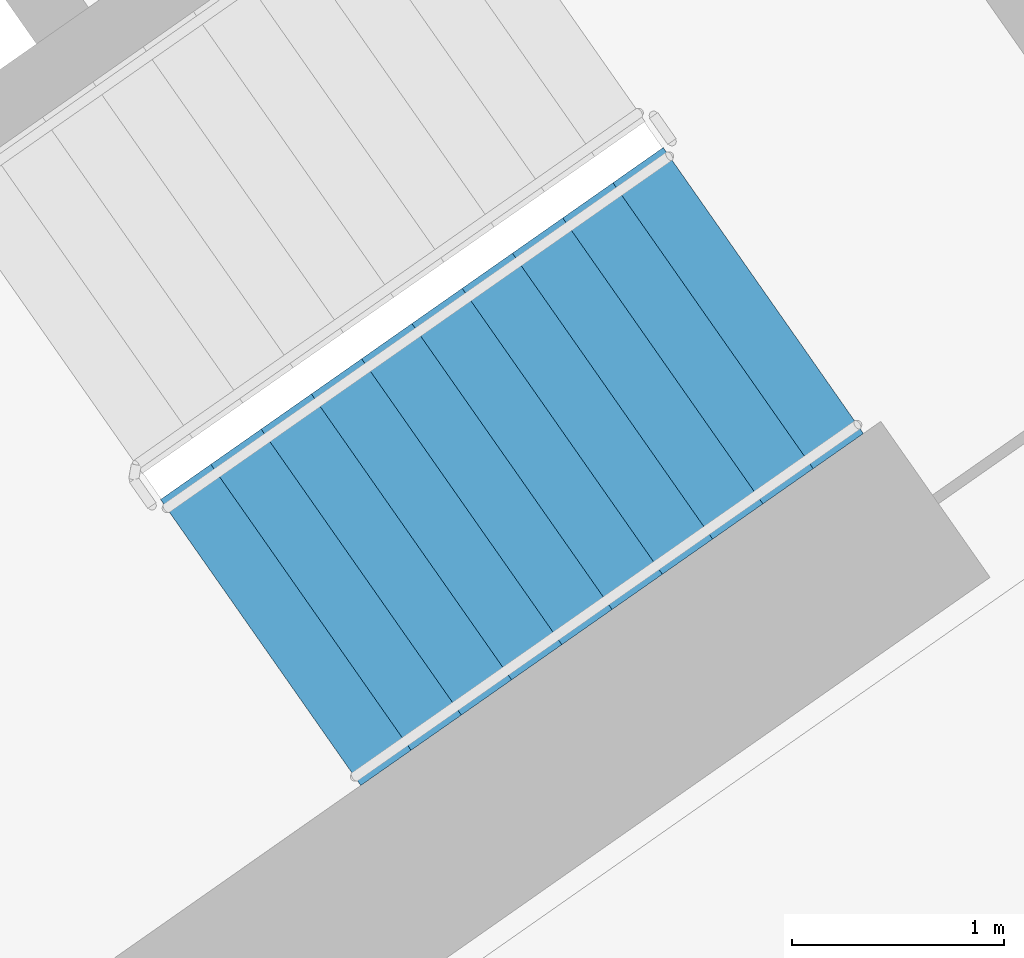
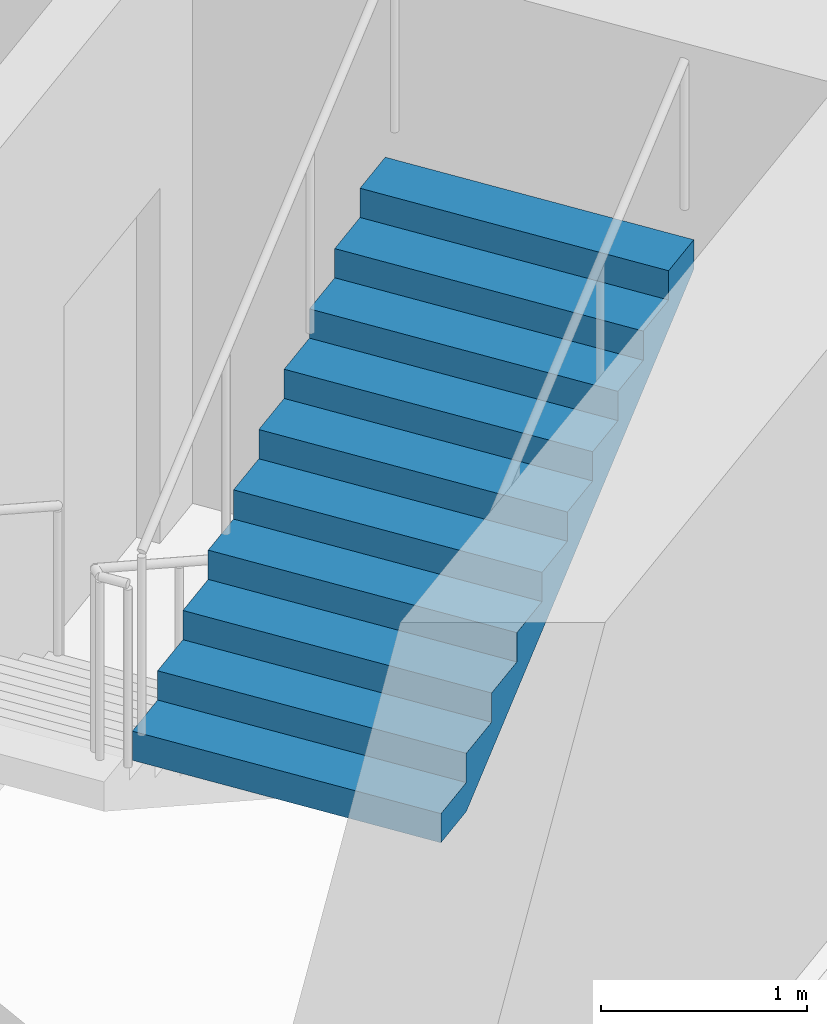
# One storey, part 18 of 32: 1 stair flight, 1 element without a shape of its own.
"""IFC4 building model written with IfcOpenShell, lengths in metres."""

from ifc_helpers import new_model, si_unit, direction, frame, origin, place, context, subcontext, project, spatial, faceted_brep, material, type_object, element, aggregate, save


model = new_model("IFC4")

# Units and contexts
model_context = context("Model", 3, precision=1e-05, world=origin(), true_north=direction((0.0, 1.0)))
body_context = subcontext(model_context, "Body", "Model", "MODEL_VIEW")
ifc_project = project(units=[si_unit("LENGTHUNIT", "METRE"), si_unit("AREAUNIT", "SQUARE_METRE"), si_unit("VOLUMEUNIT", "CUBIC_METRE"), si_unit("PLANEANGLEUNIT", "RADIAN"), si_unit("MASSUNIT", "GRAM", prefix="KILO")], contexts=[model_context])

# Site, building, storey
site_placement = place(None, origin())
site = spatial("IfcSite", under=ifc_project, at=site_placement, CompositionType="ELEMENT")
building_placement = place(site_placement, origin())
building = spatial("IfcBuilding", under=site, at=building_placement, Name="Qamariyya Broadcast Tower", CompositionType="ELEMENT")
storey_placement = place(building_placement, frame((0.0, 0.0, 70.89990234375)))
storey = spatial("IfcBuildingStorey", under=building, at=storey_placement, Name="L14", CompositionType="ELEMENT", Elevation=70.89990234375)

# Stair, stair flight
ifc_material = material(Name="Concrete C50/60", Category="concrete")
stair_type = type_object("IfcStairType", Name="Exit stair 22 risers of 173 mm", PredefinedType="HALF_TURN_STAIR", material=ifc_material)
stair_placement = place(storey_placement, origin())
stair = element("IfcStair", 1, at=stair_placement, inside=storey, type_object=stair_type, Name="L14 Stair E1", PredefinedType="HALF_TURN_STAIR")
stair_flight_type = type_object("IfcStairFlightType", Name="Exit stair flight 11 risers of 173 mm", PredefinedType="STRAIGHT", material=ifc_material)
stair_flight_placement = place(storey_placement, frame((44.693359375, -58.64599609375, 1.900146484375), z_axis=(0.0, 0.0, 1.0), x_axis=(0.819152044289, 0.573576436351, 0.0)))
stair_flight = element("IfcStairFlight", 2, at=stair_flight_placement, type_object=stair_flight_type, Name="ST-E1 flight 2", NumberOfRisers=11, NumberOfTreads=10, PredefinedType="STRAIGHT", RiserHeight=0.172727273, TreadLength=0.29, context=body_context, shape_type="Brep", body=[
    faceted_brep([(0.0, 0.824951171875, 0.0), (0.0, 0.824951171875, 0.172607421875), (0.2900390625, 0.824951171875, 0.172607421875), (0.2900390625, 0.824951171875, 0.345458984375), (0.580078125, 0.824951171875, 0.345458984375), (0.580078125, 0.824951171875, 0.51806640625), (0.8701171875, 0.824951171875, 0.51806640625), (0.8701171875, 0.824951171875, 0.69091796875), (1.159912109375, 0.824951171875, 0.69091796875), (1.159912109375, 0.824951171875, 0.863525390625), (1.449951171875, 0.824951171875, 0.863525390625), (1.449951171875, 0.824951171875, 1.036376953125), (1.739990234375, 0.824951171875, 1.036376953125), (1.739990234375, 0.824951171875, 1.208984375), (2.030029296875, 0.824951171875, 1.208984375), (2.030029296875, 0.824951171875, 1.3818359375), (2.320068359375, 0.824951171875, 1.3818359375), (2.320068359375, 0.824951171875, 1.554443359375), (2.610107421875, 0.824951171875, 1.554443359375), (2.610107421875, 0.824951171875, 1.727294921875), (2.89990234375, 0.824951171875, 1.727294921875), (2.89990234375, 0.824951171875, 1.552734375), (0.29296875, 0.824951171875, 0.0), (0.29296875, -0.824951171875, 0.0), (2.89990234375, -0.824951171875, 1.552734375), (2.89990234375, -0.824951171875, 1.727294921875), (2.610107421875, -0.824951171875, 1.727294921875), (2.610107421875, -0.824951171875, 1.554443359375), (2.320068359375, -0.824951171875, 1.554443359375), (2.320068359375, -0.824951171875, 1.3818359375), (2.030029296875, -0.824951171875, 1.3818359375), (2.030029296875, -0.824951171875, 1.208984375), (1.739990234375, -0.824951171875, 1.208984375), (1.739990234375, -0.824951171875, 1.036376953125), (1.449951171875, -0.824951171875, 1.036376953125), (1.449951171875, -0.824951171875, 0.863525390625), (1.159912109375, -0.824951171875, 0.863525390625), (1.159912109375, -0.824951171875, 0.69091796875), (0.8701171875, -0.824951171875, 0.69091796875), (0.8701171875, -0.824951171875, 0.51806640625), (0.580078125, -0.824951171875, 0.51806640625), (0.580078125, -0.824951171875, 0.345458984375), (0.2900390625, -0.824951171875, 0.345458984375), (0.2900390625, -0.824951171875, 0.172607421875), (0.0, -0.824951171875, 0.172607421875), (0.0, -0.824951171875, 0.0), (0.0, 0.10009765625, 0.0), (0.0, 0.086669921875, 0.0), (0.0, 0.0732421875, 0.0), (0.0, 0.06005859375, 0.0), (0.0, 0.046630859375, 0.0), (0.0, 0.033447265625, 0.0), (0.0, 0.02001953125, 0.0), (0.0, 0.006591796875, 0.0), (0.0, -0.006591796875, 0.0), (0.0, -0.02001953125, 0.0), (0.0, -0.033447265625, 0.0), (0.0, -0.046630859375, 0.0), (0.0, -0.06005859375, 0.0), (0.0, -0.0732421875, 0.0), (0.0, -0.086669921875, 0.0), (0.0, -0.10009765625, 0.0), (0.0, -0.10009765625, 0.172607421875), (0.0, -0.086669921875, 0.172607421875), (0.0, -0.0732421875, 0.172607421875), (0.0, -0.06005859375, 0.172607421875), (0.0, -0.046630859375, 0.172607421875), (0.0, -0.033447265625, 0.172607421875), (0.0, -0.02001953125, 0.172607421875), (0.0, -0.006591796875, 0.172607421875), (0.0, 0.006591796875, 0.172607421875), (0.0, 0.02001953125, 0.172607421875), (0.0, 0.033447265625, 0.172607421875), (0.0, 0.046630859375, 0.172607421875), (0.0, 0.06005859375, 0.172607421875), (0.0, 0.0732421875, 0.172607421875), (0.0, 0.086669921875, 0.172607421875), (0.0, 0.10009765625, 0.172607421875), (0.2900390625, -0.10009765625, 0.172607421875), (0.2900390625, -0.086669921875, 0.172607421875), (0.2900390625, -0.0732421875, 0.172607421875), (0.2900390625, -0.06005859375, 0.172607421875), (0.2900390625, -0.046630859375, 0.172607421875), (0.2900390625, -0.033447265625, 0.172607421875), (0.2900390625, -0.02001953125, 0.172607421875), (0.2900390625, -0.006591796875, 0.172607421875), (0.2900390625, 0.006591796875, 0.172607421875), (0.2900390625, 0.02001953125, 0.172607421875), (0.2900390625, 0.033447265625, 0.172607421875), (0.2900390625, 0.046630859375, 0.172607421875), (0.2900390625, 0.06005859375, 0.172607421875), (0.2900390625, 0.0732421875, 0.172607421875), (0.2900390625, 0.086669921875, 0.172607421875), (0.2900390625, 0.10009765625, 0.172607421875), (0.2900390625, -0.10009765625, 0.345458984375), (0.2900390625, -0.086669921875, 0.345458984375), (0.2900390625, -0.0732421875, 0.345458984375), (0.2900390625, -0.06005859375, 0.345458984375), (0.2900390625, -0.046630859375, 0.345458984375), (0.2900390625, -0.033447265625, 0.345458984375), (0.2900390625, -0.02001953125, 0.345458984375), (0.2900390625, -0.006591796875, 0.345458984375), (0.2900390625, 0.006591796875, 0.345458984375), (0.2900390625, 0.02001953125, 0.345458984375), (0.2900390625, 0.033447265625, 0.345458984375), (0.2900390625, 0.046630859375, 0.345458984375), (0.2900390625, 0.06005859375, 0.345458984375), (0.2900390625, 0.0732421875, 0.345458984375), (0.2900390625, 0.086669921875, 0.345458984375), (0.2900390625, 0.10009765625, 0.345458984375), (0.580078125, -0.10009765625, 0.345458984375), (0.580078125, -0.086669921875, 0.345458984375), (0.580078125, -0.0732421875, 0.345458984375), (0.580078125, -0.06005859375, 0.345458984375), (0.580078125, -0.046630859375, 0.345458984375), (0.580078125, -0.033447265625, 0.345458984375), (0.580078125, -0.02001953125, 0.345458984375), (0.580078125, -0.006591796875, 0.345458984375), (0.580078125, 0.006591796875, 0.345458984375), (0.580078125, 0.02001953125, 0.345458984375), (0.580078125, 0.033447265625, 0.345458984375), (0.580078125, 0.046630859375, 0.345458984375), (0.580078125, 0.06005859375, 0.345458984375), (0.580078125, 0.0732421875, 0.345458984375), (0.580078125, 0.086669921875, 0.345458984375), (0.580078125, 0.10009765625, 0.345458984375), (0.580078125, -0.10009765625, 0.51806640625), (0.580078125, -0.086669921875, 0.51806640625), (0.580078125, -0.0732421875, 0.51806640625), (0.580078125, -0.06005859375, 0.51806640625), (0.580078125, -0.046630859375, 0.51806640625), (0.580078125, -0.033447265625, 0.51806640625), (0.580078125, -0.02001953125, 0.51806640625), (0.580078125, -0.006591796875, 0.51806640625), (0.580078125, 0.006591796875, 0.51806640625), (0.580078125, 0.02001953125, 0.51806640625), (0.580078125, 0.033447265625, 0.51806640625), (0.580078125, 0.046630859375, 0.51806640625), (0.580078125, 0.06005859375, 0.51806640625), (0.580078125, 0.0732421875, 0.51806640625), (0.580078125, 0.086669921875, 0.51806640625), (0.580078125, 0.10009765625, 0.51806640625), (0.8701171875, -0.10009765625, 0.51806640625), (0.8701171875, -0.086669921875, 0.51806640625), (0.8701171875, -0.0732421875, 0.51806640625), (0.8701171875, -0.06005859375, 0.51806640625), (0.8701171875, -0.046630859375, 0.51806640625), (0.8701171875, -0.033447265625, 0.51806640625), (0.8701171875, -0.02001953125, 0.51806640625), (0.8701171875, -0.006591796875, 0.51806640625), (0.8701171875, 0.006591796875, 0.51806640625), (0.8701171875, 0.02001953125, 0.51806640625), (0.8701171875, 0.033447265625, 0.51806640625), (0.8701171875, 0.046630859375, 0.51806640625), (0.8701171875, 0.06005859375, 0.51806640625), (0.8701171875, 0.0732421875, 0.51806640625), (0.8701171875, 0.086669921875, 0.51806640625), (0.8701171875, 0.10009765625, 0.51806640625), (0.8701171875, -0.10009765625, 0.69091796875), (0.8701171875, -0.086669921875, 0.69091796875), (0.8701171875, -0.0732421875, 0.69091796875), (0.8701171875, -0.06005859375, 0.69091796875), (0.8701171875, -0.046630859375, 0.69091796875), (0.8701171875, -0.033447265625, 0.69091796875), (0.8701171875, -0.02001953125, 0.69091796875), (0.8701171875, -0.006591796875, 0.69091796875), (0.8701171875, 0.006591796875, 0.69091796875), (0.8701171875, 0.02001953125, 0.69091796875), (0.8701171875, 0.033447265625, 0.69091796875), (0.8701171875, 0.046630859375, 0.69091796875), (0.8701171875, 0.06005859375, 0.69091796875), (0.8701171875, 0.0732421875, 0.69091796875), (0.8701171875, 0.086669921875, 0.69091796875), (0.8701171875, 0.10009765625, 0.69091796875), (1.159912109375, -0.10009765625, 0.69091796875), (1.159912109375, -0.086669921875, 0.69091796875), (1.159912109375, -0.0732421875, 0.69091796875), (1.159912109375, -0.06005859375, 0.69091796875), (1.159912109375, -0.046630859375, 0.69091796875), (1.159912109375, -0.033447265625, 0.69091796875), (1.159912109375, -0.02001953125, 0.69091796875), (1.159912109375, -0.006591796875, 0.69091796875), (1.159912109375, 0.006591796875, 0.69091796875), (1.159912109375, 0.02001953125, 0.69091796875), (1.159912109375, 0.033447265625, 0.69091796875), (1.159912109375, 0.046630859375, 0.69091796875), (1.159912109375, 0.06005859375, 0.69091796875), (1.159912109375, 0.0732421875, 0.69091796875), (1.159912109375, 0.086669921875, 0.69091796875), (1.159912109375, 0.10009765625, 0.69091796875), (1.159912109375, -0.10009765625, 0.863525390625), (1.159912109375, -0.086669921875, 0.863525390625), (1.159912109375, -0.0732421875, 0.863525390625), (1.159912109375, -0.06005859375, 0.863525390625), (1.159912109375, -0.046630859375, 0.863525390625), (1.159912109375, -0.033447265625, 0.863525390625), (1.159912109375, -0.02001953125, 0.863525390625), (1.159912109375, -0.006591796875, 0.863525390625), (1.159912109375, 0.006591796875, 0.863525390625), (1.159912109375, 0.02001953125, 0.863525390625), (1.159912109375, 0.033447265625, 0.863525390625), (1.159912109375, 0.046630859375, 0.863525390625), (1.159912109375, 0.06005859375, 0.863525390625), (1.159912109375, 0.0732421875, 0.863525390625), (1.159912109375, 0.086669921875, 0.863525390625), (1.159912109375, 0.10009765625, 0.863525390625), (1.449951171875, -0.10009765625, 0.863525390625), (1.449951171875, -0.086669921875, 0.863525390625), (1.449951171875, -0.0732421875, 0.863525390625), (1.449951171875, -0.06005859375, 0.863525390625), (1.449951171875, -0.046630859375, 0.863525390625), (1.449951171875, -0.033447265625, 0.863525390625), (1.449951171875, -0.02001953125, 0.863525390625), (1.449951171875, -0.006591796875, 0.863525390625), (1.449951171875, 0.006591796875, 0.863525390625), (1.449951171875, 0.02001953125, 0.863525390625), (1.449951171875, 0.033447265625, 0.863525390625), (1.449951171875, 0.046630859375, 0.863525390625), (1.449951171875, 0.06005859375, 0.863525390625), (1.449951171875, 0.0732421875, 0.863525390625), (1.449951171875, 0.086669921875, 0.863525390625), (1.449951171875, 0.10009765625, 0.863525390625), (1.449951171875, -0.10009765625, 1.036376953125), (1.449951171875, -0.086669921875, 1.036376953125), (1.449951171875, -0.0732421875, 1.036376953125), (1.449951171875, -0.06005859375, 1.036376953125), (1.449951171875, -0.046630859375, 1.036376953125), (1.449951171875, -0.033447265625, 1.036376953125), (1.449951171875, -0.02001953125, 1.036376953125), (1.449951171875, -0.006591796875, 1.036376953125), (1.449951171875, 0.006591796875, 1.036376953125), (1.449951171875, 0.02001953125, 1.036376953125), (1.449951171875, 0.033447265625, 1.036376953125), (1.449951171875, 0.046630859375, 1.036376953125), (1.449951171875, 0.06005859375, 1.036376953125), (1.449951171875, 0.0732421875, 1.036376953125), (1.449951171875, 0.086669921875, 1.036376953125), (1.449951171875, 0.10009765625, 1.036376953125), (1.739990234375, -0.10009765625, 1.036376953125), (1.739990234375, -0.086669921875, 1.036376953125), (1.739990234375, -0.0732421875, 1.036376953125), (1.739990234375, -0.06005859375, 1.036376953125), (1.739990234375, -0.046630859375, 1.036376953125), (1.739990234375, -0.033447265625, 1.036376953125), (1.739990234375, -0.02001953125, 1.036376953125), (1.739990234375, -0.006591796875, 1.036376953125), (1.739990234375, 0.006591796875, 1.036376953125), (1.739990234375, 0.02001953125, 1.036376953125), (1.739990234375, 0.033447265625, 1.036376953125), (1.739990234375, 0.046630859375, 1.036376953125), (1.739990234375, 0.06005859375, 1.036376953125), (1.739990234375, 0.0732421875, 1.036376953125), (1.739990234375, 0.086669921875, 1.036376953125), (1.739990234375, 0.10009765625, 1.036376953125), (1.739990234375, -0.10009765625, 1.208984375), (1.739990234375, -0.086669921875, 1.208984375), (1.739990234375, -0.0732421875, 1.208984375), (1.739990234375, -0.06005859375, 1.208984375), (1.739990234375, -0.046630859375, 1.208984375), (1.739990234375, -0.033447265625, 1.208984375), (1.739990234375, -0.02001953125, 1.208984375), (1.739990234375, -0.006591796875, 1.208984375), (1.739990234375, 0.006591796875, 1.208984375), (1.739990234375, 0.02001953125, 1.208984375), (1.739990234375, 0.033447265625, 1.208984375), (1.739990234375, 0.046630859375, 1.208984375), (1.739990234375, 0.06005859375, 1.208984375), (1.739990234375, 0.0732421875, 1.208984375), (1.739990234375, 0.086669921875, 1.208984375), (1.739990234375, 0.10009765625, 1.208984375), (2.030029296875, -0.10009765625, 1.208984375), (2.030029296875, -0.086669921875, 1.208984375), (2.030029296875, -0.0732421875, 1.208984375), (2.030029296875, -0.06005859375, 1.208984375), (2.030029296875, -0.046630859375, 1.208984375), (2.030029296875, -0.033447265625, 1.208984375), (2.030029296875, -0.02001953125, 1.208984375), (2.030029296875, -0.006591796875, 1.208984375), (2.030029296875, 0.006591796875, 1.208984375), (2.030029296875, 0.02001953125, 1.208984375), (2.030029296875, 0.033447265625, 1.208984375), (2.030029296875, 0.046630859375, 1.208984375), (2.030029296875, 0.06005859375, 1.208984375), (2.030029296875, 0.0732421875, 1.208984375), (2.030029296875, 0.086669921875, 1.208984375), (2.030029296875, 0.10009765625, 1.208984375), (2.030029296875, -0.10009765625, 1.3818359375), (2.030029296875, -0.086669921875, 1.3818359375), (2.030029296875, -0.0732421875, 1.3818359375), (2.030029296875, -0.06005859375, 1.3818359375), (2.030029296875, -0.046630859375, 1.3818359375), (2.030029296875, -0.033447265625, 1.3818359375), (2.030029296875, -0.02001953125, 1.3818359375), (2.030029296875, -0.006591796875, 1.3818359375), (2.030029296875, 0.006591796875, 1.3818359375), (2.030029296875, 0.02001953125, 1.3818359375), (2.030029296875, 0.033447265625, 1.3818359375), (2.030029296875, 0.046630859375, 1.3818359375), (2.030029296875, 0.06005859375, 1.3818359375), (2.030029296875, 0.0732421875, 1.3818359375), (2.030029296875, 0.086669921875, 1.3818359375), (2.030029296875, 0.10009765625, 1.3818359375), (2.320068359375, -0.10009765625, 1.3818359375), (2.320068359375, -0.086669921875, 1.3818359375), (2.320068359375, -0.0732421875, 1.3818359375), (2.320068359375, -0.06005859375, 1.3818359375), (2.320068359375, -0.046630859375, 1.3818359375), (2.320068359375, -0.033447265625, 1.3818359375), (2.320068359375, -0.02001953125, 1.3818359375), (2.320068359375, -0.006591796875, 1.3818359375), (2.320068359375, 0.006591796875, 1.3818359375), (2.320068359375, 0.02001953125, 1.3818359375), (2.320068359375, 0.033447265625, 1.3818359375), (2.320068359375, 0.046630859375, 1.3818359375), (2.320068359375, 0.06005859375, 1.3818359375), (2.320068359375, 0.0732421875, 1.3818359375), (2.320068359375, 0.086669921875, 1.3818359375), (2.320068359375, 0.10009765625, 1.3818359375), (2.320068359375, -0.10009765625, 1.554443359375), (2.320068359375, -0.086669921875, 1.554443359375), (2.320068359375, -0.0732421875, 1.554443359375), (2.320068359375, -0.06005859375, 1.554443359375), (2.320068359375, -0.046630859375, 1.554443359375), (2.320068359375, -0.033447265625, 1.554443359375), (2.320068359375, -0.02001953125, 1.554443359375), (2.320068359375, -0.006591796875, 1.554443359375), (2.320068359375, 0.006591796875, 1.554443359375), (2.320068359375, 0.02001953125, 1.554443359375), (2.320068359375, 0.033447265625, 1.554443359375), (2.320068359375, 0.046630859375, 1.554443359375), (2.320068359375, 0.06005859375, 1.554443359375), (2.320068359375, 0.0732421875, 1.554443359375), (2.320068359375, 0.086669921875, 1.554443359375), (2.320068359375, 0.10009765625, 1.554443359375), (2.610107421875, -0.10009765625, 1.554443359375), (2.610107421875, -0.086669921875, 1.554443359375), (2.610107421875, -0.0732421875, 1.554443359375), (2.610107421875, -0.06005859375, 1.554443359375), (2.610107421875, -0.046630859375, 1.554443359375), (2.610107421875, -0.033447265625, 1.554443359375), (2.610107421875, -0.02001953125, 1.554443359375), (2.610107421875, -0.006591796875, 1.554443359375), (2.610107421875, 0.006591796875, 1.554443359375), (2.610107421875, 0.02001953125, 1.554443359375), (2.610107421875, 0.033447265625, 1.554443359375), (2.610107421875, 0.046630859375, 1.554443359375), (2.610107421875, 0.06005859375, 1.554443359375), (2.610107421875, 0.0732421875, 1.554443359375), (2.610107421875, 0.086669921875, 1.554443359375), (2.610107421875, 0.10009765625, 1.554443359375), (2.610107421875, -0.10009765625, 1.727294921875), (2.610107421875, -0.086669921875, 1.727294921875), (2.610107421875, -0.0732421875, 1.727294921875), (2.610107421875, -0.06005859375, 1.727294921875), (2.610107421875, -0.046630859375, 1.727294921875), (2.610107421875, -0.033447265625, 1.727294921875), (2.610107421875, -0.02001953125, 1.727294921875), (2.610107421875, -0.006591796875, 1.727294921875), (2.610107421875, 0.006591796875, 1.727294921875), (2.610107421875, 0.02001953125, 1.727294921875), (2.610107421875, 0.033447265625, 1.727294921875), (2.610107421875, 0.046630859375, 1.727294921875), (2.610107421875, 0.06005859375, 1.727294921875), (2.610107421875, 0.0732421875, 1.727294921875), (2.610107421875, 0.086669921875, 1.727294921875), (2.610107421875, 0.10009765625, 1.727294921875), (2.89990234375, -0.10009765625, 1.727294921875), (2.89990234375, -0.086669921875, 1.727294921875), (2.89990234375, -0.0732421875, 1.727294921875), (2.89990234375, -0.06005859375, 1.727294921875), (2.89990234375, -0.046630859375, 1.727294921875), (2.89990234375, -0.033447265625, 1.727294921875), (2.89990234375, -0.02001953125, 1.727294921875), (2.89990234375, -0.006591796875, 1.727294921875), (2.89990234375, 0.006591796875, 1.727294921875), (2.89990234375, 0.02001953125, 1.727294921875), (2.89990234375, 0.033447265625, 1.727294921875), (2.89990234375, 0.046630859375, 1.727294921875), (2.89990234375, 0.06005859375, 1.727294921875), (2.89990234375, 0.0732421875, 1.727294921875), (2.89990234375, 0.086669921875, 1.727294921875), (2.89990234375, 0.10009765625, 1.727294921875), (2.89990234375, -0.10009765625, 1.552734375), (2.89990234375, -0.086669921875, 1.552734375), (2.89990234375, -0.0732421875, 1.552734375), (2.89990234375, -0.06005859375, 1.552734375), (2.89990234375, -0.046630859375, 1.552734375), (2.89990234375, -0.033447265625, 1.552734375), (2.89990234375, -0.02001953125, 1.552734375), (2.89990234375, -0.006591796875, 1.552734375), (2.89990234375, 0.006591796875, 1.552734375), (2.89990234375, 0.02001953125, 1.552734375), (2.89990234375, 0.033447265625, 1.552734375), (2.89990234375, 0.046630859375, 1.552734375), (2.89990234375, 0.06005859375, 1.552734375), (2.89990234375, 0.0732421875, 1.552734375), (2.89990234375, 0.086669921875, 1.552734375), (2.89990234375, 0.10009765625, 1.552734375), (0.29296875, -0.10009765625, 0.0), (0.29296875, -0.086669921875, 0.0), (0.29296875, -0.0732421875, 0.0), (0.29296875, -0.06005859375, 0.0), (0.29296875, -0.046630859375, 0.0), (0.29296875, -0.033447265625, 0.0), (0.29296875, -0.02001953125, 0.0), (0.29296875, -0.006591796875, 0.0), (0.29296875, 0.006591796875, 0.0), (0.29296875, 0.02001953125, 0.0), (0.29296875, 0.033447265625, 0.0), (0.29296875, 0.046630859375, 0.0), (0.29296875, 0.06005859375, 0.0), (0.29296875, 0.0732421875, 0.0), (0.29296875, 0.086669921875, 0.0), (0.29296875, 0.10009765625, 0.0)], [[[0, 1, 2, 3, 4, 5, 6, 7, 8, 9, 10, 11, 12, 13, 14, 15, 16, 17, 18, 19, 20, 21, 22]], [[23, 24, 25, 26, 27, 28, 29, 30, 31, 32, 33, 34, 35, 36, 37, 38, 39, 40, 41, 42, 43, 44, 45]], [[0, 46, 47, 48, 49, 50, 51, 52, 53, 54, 55, 56, 57, 58, 59, 60, 61, 45, 44, 62, 63, 64, 65, 66, 67, 68, 69, 70, 71, 72, 73, 74, 75, 76, 77, 1]], [[1, 77, 76, 75, 74, 73, 72, 71, 70, 69, 68, 67, 66, 65, 64, 63, 62, 44, 43, 78, 79, 80, 81, 82, 83, 84, 85, 86, 87, 88, 89, 90, 91, 92, 93, 2]], [[2, 93, 92, 91, 90, 89, 88, 87, 86, 85, 84, 83, 82, 81, 80, 79, 78, 43, 42, 94, 95, 96, 97, 98, 99, 100, 101, 102, 103, 104, 105, 106, 107, 108, 109, 3]], [[3, 109, 108, 107, 106, 105, 104, 103, 102, 101, 100, 99, 98, 97, 96, 95, 94, 42, 41, 110, 111, 112, 113, 114, 115, 116, 117, 118, 119, 120, 121, 122, 123, 124, 125, 4]], [[4, 125, 124, 123, 122, 121, 120, 119, 118, 117, 116, 115, 114, 113, 112, 111, 110, 41, 40, 126, 127, 128, 129, 130, 131, 132, 133, 134, 135, 136, 137, 138, 139, 140, 141, 5]], [[5, 141, 140, 139, 138, 137, 136, 135, 134, 133, 132, 131, 130, 129, 128, 127, 126, 40, 39, 142, 143, 144, 145, 146, 147, 148, 149, 150, 151, 152, 153, 154, 155, 156, 157, 6]], [[6, 157, 156, 155, 154, 153, 152, 151, 150, 149, 148, 147, 146, 145, 144, 143, 142, 39, 38, 158, 159, 160, 161, 162, 163, 164, 165, 166, 167, 168, 169, 170, 171, 172, 173, 7]], [[7, 173, 172, 171, 170, 169, 168, 167, 166, 165, 164, 163, 162, 161, 160, 159, 158, 38, 37, 174, 175, 176, 177, 178, 179, 180, 181, 182, 183, 184, 185, 186, 187, 188, 189, 8]], [[8, 189, 188, 187, 186, 185, 184, 183, 182, 181, 180, 179, 178, 177, 176, 175, 174, 37, 36, 190, 191, 192, 193, 194, 195, 196, 197, 198, 199, 200, 201, 202, 203, 204, 205, 9]], [[9, 205, 204, 203, 202, 201, 200, 199, 198, 197, 196, 195, 194, 193, 192, 191, 190, 36, 35, 206, 207, 208, 209, 210, 211, 212, 213, 214, 215, 216, 217, 218, 219, 220, 221, 10]], [[10, 221, 220, 219, 218, 217, 216, 215, 214, 213, 212, 211, 210, 209, 208, 207, 206, 35, 34, 222, 223, 224, 225, 226, 227, 228, 229, 230, 231, 232, 233, 234, 235, 236, 237, 11]], [[11, 237, 236, 235, 234, 233, 232, 231, 230, 229, 228, 227, 226, 225, 224, 223, 222, 34, 33, 238, 239, 240, 241, 242, 243, 244, 245, 246, 247, 248, 249, 250, 251, 252, 253, 12]], [[12, 253, 252, 251, 250, 249, 248, 247, 246, 245, 244, 243, 242, 241, 240, 239, 238, 33, 32, 254, 255, 256, 257, 258, 259, 260, 261, 262, 263, 264, 265, 266, 267, 268, 269, 13]], [[13, 269, 268, 267, 266, 265, 264, 263, 262, 261, 260, 259, 258, 257, 256, 255, 254, 32, 31, 270, 271, 272, 273, 274, 275, 276, 277, 278, 279, 280, 281, 282, 283, 284, 285, 14]], [[14, 285, 284, 283, 282, 281, 280, 279, 278, 277, 276, 275, 274, 273, 272, 271, 270, 31, 30, 286, 287, 288, 289, 290, 291, 292, 293, 294, 295, 296, 297, 298, 299, 300, 301, 15]], [[15, 301, 300, 299, 298, 297, 296, 295, 294, 293, 292, 291, 290, 289, 288, 287, 286, 30, 29, 302, 303, 304, 305, 306, 307, 308, 309, 310, 311, 312, 313, 314, 315, 316, 317, 16]], [[16, 317, 316, 315, 314, 313, 312, 311, 310, 309, 308, 307, 306, 305, 304, 303, 302, 29, 28, 318, 319, 320, 321, 322, 323, 324, 325, 326, 327, 328, 329, 330, 331, 332, 333, 17]], [[17, 333, 332, 331, 330, 329, 328, 327, 326, 325, 324, 323, 322, 321, 320, 319, 318, 28, 27, 334, 335, 336, 337, 338, 339, 340, 341, 342, 343, 344, 345, 346, 347, 348, 349, 18]], [[18, 349, 348, 347, 346, 345, 344, 343, 342, 341, 340, 339, 338, 337, 336, 335, 334, 27, 26, 350, 351, 352, 353, 354, 355, 356, 357, 358, 359, 360, 361, 362, 363, 364, 365, 19]], [[19, 365, 364, 363, 362, 361, 360, 359, 358, 357, 356, 355, 354, 353, 352, 351, 350, 26, 25, 366, 367, 368, 369, 370, 371, 372, 373, 374, 375, 376, 377, 378, 379, 380, 381, 20]], [[20, 381, 380, 379, 378, 377, 376, 375, 374, 373, 372, 371, 370, 369, 368, 367, 366, 25, 24, 382, 383, 384, 385, 386, 387, 388, 389, 390, 391, 392, 393, 394, 395, 396, 397, 21]], [[21, 397, 396, 395, 394, 393, 392, 391, 390, 389, 388, 387, 386, 385, 384, 383, 382, 24, 23, 398, 399, 400, 401, 402, 403, 404, 405, 406, 407, 408, 409, 410, 411, 412, 413, 22]], [[22, 413, 412, 411, 410, 409, 408, 407, 406, 405, 404, 403, 402, 401, 400, 399, 398, 23, 45, 61, 60, 59, 58, 57, 56, 55, 54, 53, 52, 51, 50, 49, 48, 47, 46, 0]]]),
])
aggregate(stair, [stair_flight])

save(model, "model.ifc")
